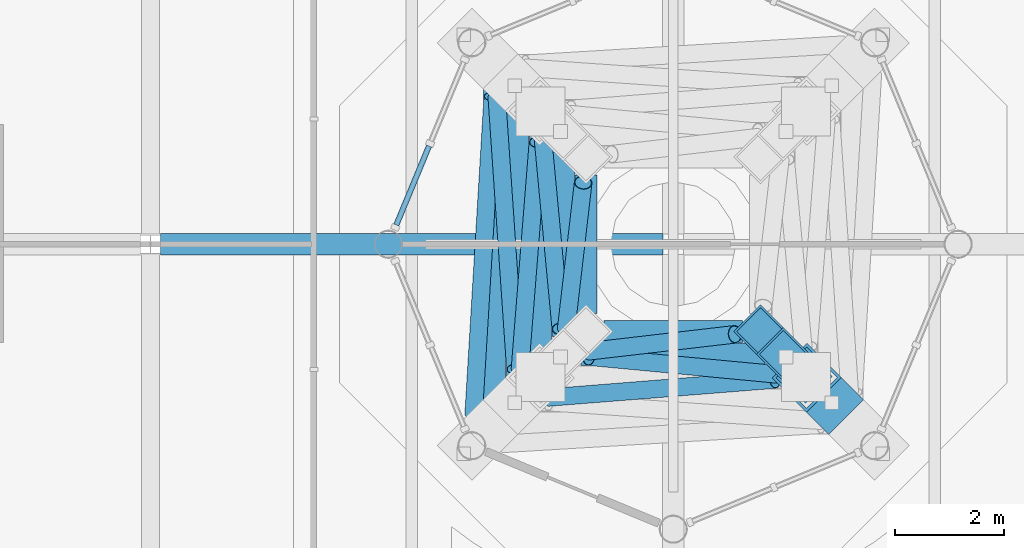
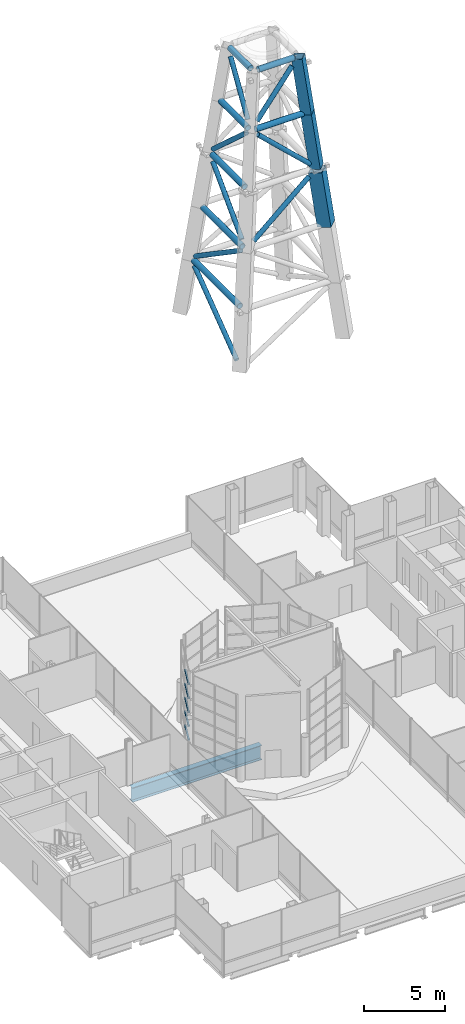
# One storey, part 11 of 32: 23 members, 1 beam, 1 element without a shape of its own.
"""IFC4 building model written with IfcOpenShell, lengths in metres."""

from ifc_helpers import new_model, si_unit, direction, frame, origin, origin_2d, place, context, subcontext, project, spatial, rectangle, hollow_rectangle, hollow_circle, i_section, extrude, material, material_profile, profile_set, type_object, element, aggregate, save


model = new_model("IFC4")

# Units and contexts
model_context = context("Model", 3, precision=1e-05, world=origin(), true_north=direction((0.0, 1.0)))
body_context = subcontext(model_context, "Body", "Model", "MODEL_VIEW")
ifc_project = project(units=[si_unit("LENGTHUNIT", "METRE"), si_unit("AREAUNIT", "SQUARE_METRE"), si_unit("VOLUMEUNIT", "CUBIC_METRE"), si_unit("PLANEANGLEUNIT", "RADIAN"), si_unit("MASSUNIT", "GRAM", prefix="KILO")], contexts=[model_context])

# Site, building, storey
site_placement = place(None, origin())
site = spatial("IfcSite", under=ifc_project, at=site_placement, CompositionType="ELEMENT")
building_placement = place(site_placement, origin())
building = spatial("IfcBuilding", under=site, at=building_placement, Name="Cobrizo Arcos Hotel Tower", CompositionType="ELEMENT")
storey_placement = place(building_placement, frame((0.0, 0.0, 265.5)))
storey = spatial("IfcBuildingStorey", under=building, at=storey_placement, Name="L70", CompositionType="ELEMENT", Elevation=265.5)

# Curtain wall, members
ifc_material_1 = material(Name="Aluminium 6063-T6 anodised bronze", Category="aluminium")
curtain_wall_type = type_object("IfcCurtainWallType", Name="CW-D plant louvre wall", PredefinedType="NOTDEFINED", material=ifc_material_1)
curtain_wall_placement = place(storey_placement, origin())
curtain_wall = element("IfcCurtainWall", 1, at=curtain_wall_placement, inside=storey, type_object=curtain_wall_type, Name="CW-D drum louvre wall 4", PredefinedType="NOTDEFINED")
ifc_material_profile_1 = material_profile(ifc_material_1, rectangle(XDim=0.10009765625, YDim=0.10009765625, at=origin_2d()), Name="CW-D transom 100x100")
ifc_profile_set_1 = profile_set([ifc_material_profile_1], Name="Aluminium 6063-T6 anodised bronze")
member_type_1 = type_object("IfcMemberType", Name="CW-D transom 100x100", PredefinedType="USERDEFINED", material=ifc_profile_set_1)
member_1_placement = place(storey_placement, frame((-4.4853515625, 1.8037109375, 1.550048828125), z_axis=(-0.382768797092, -0.923844168663, 0.0), x_axis=(0.923844168663, -0.382768797092, 0.0)))
member_1 = element("IfcMember", 2, at=member_1_placement, type_object=member_type_1, Name="CW-D transom 2-1", ObjectType="TRANSOM", PredefinedType="USERDEFINED", context=body_context, shape_type="SweptSolid", body=[
    extrude(rectangle(XDim=0.10009765625, YDim=0.10009765625, at=origin_2d()), origin(), (0.0, 0.0, 1.0), 1.568359375),
])
member_2_placement = place(storey_placement, frame((-4.4853515625, 1.8037109375, 2.60009765625), z_axis=(-0.382768797092, -0.923844168663, 0.0), x_axis=(0.923844168663, -0.382768797092, 0.0)))
member_2 = element("IfcMember", 3, at=member_2_placement, type_object=member_type_1, Name="CW-D transom 2-2", ObjectType="TRANSOM", PredefinedType="USERDEFINED", context=body_context, shape_type="SweptSolid", body=[
    extrude(rectangle(XDim=0.10009765625, YDim=0.10009765625, at=origin_2d()), origin(), (0.0, 0.0, 1.0), 1.568359375),
])
member_3_placement = place(storey_placement, frame((-4.4853515625, 1.8037109375, 3.64990234375), z_axis=(-0.382768797092, -0.923844168663, 0.0), x_axis=(0.923844168663, -0.382768797092, 0.0)))
member_3 = element("IfcMember", 4, at=member_3_placement, type_object=member_type_1, Name="CW-D transom 2-3", ObjectType="TRANSOM", PredefinedType="USERDEFINED", context=body_context, shape_type="SweptSolid", body=[
    extrude(rectangle(XDim=0.10009765625, YDim=0.10009765625, at=origin_2d()), origin(), (0.0, 0.0, 1.0), 1.568359375),
])
member_4_placement = place(storey_placement, frame((-4.4853515625, 1.8037109375, 4.699951171875), z_axis=(-0.382768797092, -0.923844168663, 0.0), x_axis=(0.923844168663, -0.382768797092, 0.0)))
member_4 = element("IfcMember", 5, at=member_4_placement, type_object=member_type_1, Name="CW-D transom 2-4", ObjectType="TRANSOM", PredefinedType="USERDEFINED", context=body_context, shape_type="SweptSolid", body=[
    extrude(rectangle(XDim=0.10009765625, YDim=0.10009765625, at=origin_2d()), origin(), (0.0, 0.0, 1.0), 1.568359375),
])
member_5_placement = place(storey_placement, frame((-4.4853515625, 1.8037109375, 5.75), z_axis=(-0.382768797092, -0.923844168663, 0.0), x_axis=(0.923844168663, -0.382768797092, 0.0)))
member_5 = element("IfcMember", 6, at=member_5_placement, type_object=member_type_1, Name="CW-D transom 2-5", ObjectType="TRANSOM", PredefinedType="USERDEFINED", context=body_context, shape_type="SweptSolid", body=[
    extrude(rectangle(XDim=0.10009765625, YDim=0.10009765625, at=origin_2d()), origin(), (0.0, 0.0, 1.0), 1.568359375),
])
aggregate(curtain_wall, [member_1, member_2, member_3, member_4, member_5])

# Members
ifc_material_2 = material(Name="Steel ASTM A500 Grade C", Category="steel")
ifc_material_profile_2 = material_profile(ifc_material_2, hollow_circle(Radius=0.161865234375, WallThickness=0.01171875, at=origin_2d()), Name="HSS12.750X0.500")
ifc_profile_set_2 = profile_set([ifc_material_profile_2], Name="Steel ASTM A500 Grade C")
member_type_2 = type_object("IfcMemberType", Name="MAST diagonal HSS12.750X0.500", PredefinedType="BRACE", material=ifc_profile_set_2)
member_6_placement = place(storey_placement, frame((-3.66552734375, -3.129150390625, 31.835205078125), z_axis=(0.051780997675, 0.861084142838, 0.505818966857), x_axis=(-0.998196800691, 0.060026220022, 0.0)))
element("IfcMember", 7, at=member_6_placement, inside=storey, type_object=member_type_2, Name="MAST diagonal stage 1 face 4", PredefinedType="BRACE", context=body_context, shape_type="SweptSolid", body=[
    extrude(hollow_circle(Radius=0.161865234375, WallThickness=0.01171875, at=origin_2d()), origin(), (0.0, 0.0, 1.0), 6.780029296875),
])
member_7_placement = place(storey_placement, frame((-3.240966796875, 2.70947265625, 35.98095703125), z_axis=(0.056811542456, -0.830275754307, 0.554449835831), x_axis=(0.997667204321, 0.068265287094, 0.0)))
element("IfcMember", 8, at=member_7_placement, inside=storey, type_object=member_type_2, Name="MAST diagonal stage 2 face 4", PredefinedType="BRACE", context=body_context, shape_type="SweptSolid", body=[
    extrude(hollow_circle(Radius=0.161865234375, WallThickness=0.01171875, at=origin_2d()), origin(), (0.0, 0.0, 1.0), 6.0205078125),
])
for number, where, z_axis, x_axis, name in (
    (9, (-2.289794921875, -2.814697265625, 40.14111328125), (0.789415516993, 0.062549063736, 0.610664192626), (-0.078987094271, 0.996875638652, 0.0), "MAST diagonal stage 3 face 1"),
    (10, (-2.814697265625, -2.289794921875, 40.14111328125), (0.062549063736, 0.789415516993, 0.610664192626), (-0.996875638652, 0.078987094271, 0.0), "MAST diagonal stage 3 face 4"),
):
    element("IfcMember", number, at=place(storey_placement, frame(where, z_axis=z_axis, x_axis=x_axis)), inside=storey, type_object=member_type_2, Name=name, PredefinedType="BRACE", context=body_context, shape_type="SweptSolid", body=[
        extrude(hollow_circle(Radius=0.161865234375, WallThickness=0.01171875, at=origin_2d()), origin(), (0.0, 0.0, 1.0), 5.269287109375),
    ])
for number, where, z_axis, x_axis, name in (
    (11, (1.97021484375, -2.395751953125, 44.23193359375), (-0.73445775366, 0.069167380684, 0.675120494089), (-0.093759902186, -0.995594837643, 0.0), "MAST diagonal stage 4 face 1"),
    (12, (-2.395751953125, 1.97021484375, 44.23193359375), (0.069167380684, -0.73445775366, 0.675120494089), (0.995594837643, 0.093759902186, 0.0), "MAST diagonal stage 4 face 4"),
):
    element("IfcMember", number, at=place(storey_placement, frame(where, z_axis=z_axis, x_axis=x_axis)), inside=storey, type_object=member_type_2, Name=name, PredefinedType="BRACE", context=body_context, shape_type="SweptSolid", body=[
        extrude(hollow_circle(Radius=0.161865234375, WallThickness=0.01171875, at=origin_2d()), origin(), (0.0, 0.0, 1.0), 4.79345703125),
    ])
for number, where, z_axis, x_axis, name in (
    (13, (-1.55126953125, -1.965576171875, 48.430908203125), (0.659915075813, 0.076580660932, 0.747427250698), (-0.115272659308, 0.993333888487, 0.0), "MAST diagonal stage 5 face 1"),
    (14, (-1.965576171875, -1.55126953125, 48.430908203125), (0.076580660932, 0.659915075813, 0.747427250698), (-0.993333888487, 0.115272659308, 0.0), "MAST diagonal stage 5 face 4"),
):
    element("IfcMember", number, at=place(storey_placement, frame(where, z_axis=z_axis, x_axis=x_axis)), inside=storey, type_object=member_type_2, Name=name, PredefinedType="BRACE", context=body_context, shape_type="SweptSolid", body=[
        extrude(hollow_circle(Radius=0.161865234375, WallThickness=0.01171875, at=origin_2d()), origin(), (0.0, 0.0, 1.0), 4.064697265625),
    ])
ifc_material_3 = material(Name="Steel ASTM A572 Grade 50", Category="steel")
ifc_material_profile_3 = material_profile(ifc_material_3, hollow_rectangle(XDim=0.699951171875, YDim=0.699951171875, WallThickness=0.0400390625, at=origin_2d()), Name="BOX 700X700X40")
ifc_profile_set_3 = profile_set([ifc_material_profile_3], Name="Steel ASTM A572 Grade 50")
member_type_3 = type_object("IfcMemberType", Name="MAST leg BOX 700X700X40", PredefinedType="CHORD", material=ifc_profile_set_3)
member_8_placement = place(storey_placement, frame((2.4296875, -2.4296875, 43.89990234375), z_axis=(-0.101359328095, 0.101359328095, 0.989672962759), x_axis=(-0.707106781187, -0.707106781187, 0.0)))
element("IfcMember", 15, at=member_8_placement, inside=storey, type_object=member_type_3, Name="MAST leg SE stage 4", PredefinedType="CHORD", context=body_context, shape_type="SweptSolid", body=[
    extrude(hollow_rectangle(XDim=0.699951171875, YDim=0.699951171875, WallThickness=0.0400390625, at=origin_2d()), origin(), (0.0, 0.0, 1.0), 4.041748046875),
])
member_9_placement = place(storey_placement, frame((2.02001953125, -2.02001953125, 47.89990234375), z_axis=(-0.101359849485, 0.101359849485, 0.98967285596), x_axis=(-0.707106781187, -0.707106781187, 0.0)))
element("IfcMember", 16, at=member_9_placement, inside=storey, type_object=member_type_3, Name="MAST leg SE stage 5", PredefinedType="CHORD", context=body_context, shape_type="SweptSolid", body=[
    extrude(hollow_rectangle(XDim=0.699951171875, YDim=0.699951171875, WallThickness=0.0400390625, at=origin_2d()), origin(), (0.0, 0.0, 1.0), 4.142822265625),
])
ifc_material_profile_4 = material_profile(ifc_material_3, hollow_rectangle(XDim=0.89990234375, YDim=0.89990234375, WallThickness=0.050048828125, at=origin_2d()), Name="BOX 900X900X50")
ifc_profile_set_4 = profile_set([ifc_material_profile_4], Name="Steel ASTM A572 Grade 50")
member_type_4 = type_object("IfcMemberType", Name="MAST leg BOX 900X900X50", PredefinedType="CHORD", material=ifc_profile_set_4)
member_10_placement = place(storey_placement, frame((2.860107421875, -2.860107421875, 39.699951171875), z_axis=(-0.101418490688, 0.101418490688, 0.989660840638), x_axis=(-0.707106781187, -0.707106781187, 0.0)))
element("IfcMember", 17, at=member_10_placement, inside=storey, type_object=member_type_4, Name="MAST leg SE stage 3", PredefinedType="CHORD", context=body_context, shape_type="SweptSolid", body=[
    extrude(hollow_rectangle(XDim=0.89990234375, YDim=0.89990234375, WallThickness=0.050048828125, at=origin_2d()), origin(), (0.0, 0.0, 1.0), 4.041748046875),
])
ifc_material_profile_5 = material_profile(ifc_material_2, hollow_circle(Radius=0.203125, WallThickness=0.01171875, at=origin_2d()), Name="HSS16.000X0.500")
ifc_profile_set_5 = profile_set([ifc_material_profile_5], Name="Steel ASTM A500 Grade C")
member_type_5 = type_object("IfcMemberType", Name="MAST strut HSS16.000X0.500", PredefinedType="STRUT", material=ifc_profile_set_5)
member_11_placement = place(storey_placement, frame((-3.280029296875, 2.85009765625, 35.60009765625), z_axis=(0.0, -1.0, 0.0), x_axis=(1.0, 0.0, 0.0)))
element("IfcMember", 18, at=member_11_placement, inside=storey, type_object=member_type_5, Name="MAST strut level 1 face 4", PredefinedType="STRUT", context=body_context, shape_type="SweptSolid", body=[
    extrude(hollow_circle(Radius=0.203125, WallThickness=0.01171875, at=origin_2d()), origin(), (0.0, 0.0, 1.0), 5.7001953125),
])
member_12_placement = place(storey_placement, frame((-2.860107421875, 2.429931640625, 39.699951171875), z_axis=(0.0, -1.0, 0.0), x_axis=(1.0, 0.0, 0.0)))
element("IfcMember", 19, at=member_12_placement, inside=storey, type_object=member_type_5, Name="MAST strut level 2 face 4", PredefinedType="STRUT", context=body_context, shape_type="SweptSolid", body=[
    extrude(hollow_circle(Radius=0.203125, WallThickness=0.01171875, at=origin_2d()), origin(), (0.0, 0.0, 1.0), 4.85986328125),
])
member_13_placement = place(storey_placement, frame((-2.43994140625, 2.010009765625, 43.800048828125), z_axis=(0.0, -1.0, 0.0), x_axis=(1.0, 0.0, 0.0)))
element("IfcMember", 20, at=member_13_placement, inside=storey, type_object=member_type_5, Name="MAST strut level 3 face 4", PredefinedType="STRUT", context=body_context, shape_type="SweptSolid", body=[
    extrude(hollow_circle(Radius=0.203125, WallThickness=0.01171875, at=origin_2d()), origin(), (0.0, 0.0, 1.0), 4.02001953125),
])
for number, where, z_axis, x_axis, name in (
    (21, (-1.68994140625, -2.02001953125, 47.89990234375), (1.0, 0.0, 0.0), (0.0, 1.0, 0.0), "MAST strut level 4 face 1"),
    (22, (-2.02001953125, 1.68994140625, 47.89990234375), (0.0, -1.0, 0.0), (1.0, 0.0, 0.0), "MAST strut level 4 face 4"),
):
    element("IfcMember", number, at=place(storey_placement, frame(where, z_axis=z_axis, x_axis=x_axis)), inside=storey, type_object=member_type_5, Name=name, PredefinedType="STRUT", context=body_context, shape_type="SweptSolid", body=[
        extrude(hollow_circle(Radius=0.203125, WallThickness=0.01171875, at=origin_2d()), origin(), (0.0, 0.0, 1.0), 3.3798828125),
    ])
for number, where, z_axis, x_axis, name in (
    (23, (-1.27001953125, -1.60009765625, 52.0), (1.0, 0.0, 0.0), (0.0, 1.0, 0.0), "MAST strut level 5 face 1"),
    (24, (-1.60009765625, 1.27001953125, 52.0), (0.0, -1.0, 0.0), (1.0, 0.0, 0.0), "MAST strut level 5 face 4"),
):
    element("IfcMember", number, at=place(storey_placement, frame(where, z_axis=z_axis, x_axis=x_axis)), inside=storey, type_object=member_type_5, Name=name, PredefinedType="STRUT", context=body_context, shape_type="SweptSolid", body=[
        extrude(hollow_circle(Radius=0.203125, WallThickness=0.01171875, at=origin_2d()), origin(), (0.0, 0.0, 1.0), 2.5400390625),
    ])

# Beam
ifc_material_4 = material(Name="Steel ASTM A992 Grade 50", Category="steel")
ifc_material_profile_6 = material_profile(ifc_material_4, i_section(OverallWidth=0.4013671875, OverallDepth=1.089599609375, WebThickness=0.01806640625, FlangeThickness=0.031005859375, at=origin_2d()), Name="W44X230")
ifc_profile_set_6 = profile_set([ifc_material_profile_6], Name="Steel ASTM A992 Grade 50")
beam_type = type_object("IfcBeamType", Name="W44X230 crown transfer girder", PredefinedType="BEAM", material=ifc_profile_set_6)
beam_placement = place(storey_placement, frame((-9.415771484375, 0.0, -0.794921875), z_axis=(1.0, 0.0, 0.0), x_axis=(0.0, 1.0, 0.0)))
element("IfcBeam", 25, at=beam_placement, inside=storey, type_object=beam_type, Name="Crown transfer girder CG1, L70, no. 002", PredefinedType="BEAM", context=body_context, shape_type="SweptSolid", body=[
    extrude(i_section(OverallWidth=0.4013671875, OverallDepth=1.089599609375, WebThickness=0.01806640625, FlangeThickness=0.031005859375, at=origin_2d()), origin(), (0.0, 0.0, 1.0), 9.231689453125),
])

save(model, "model.ifc")
